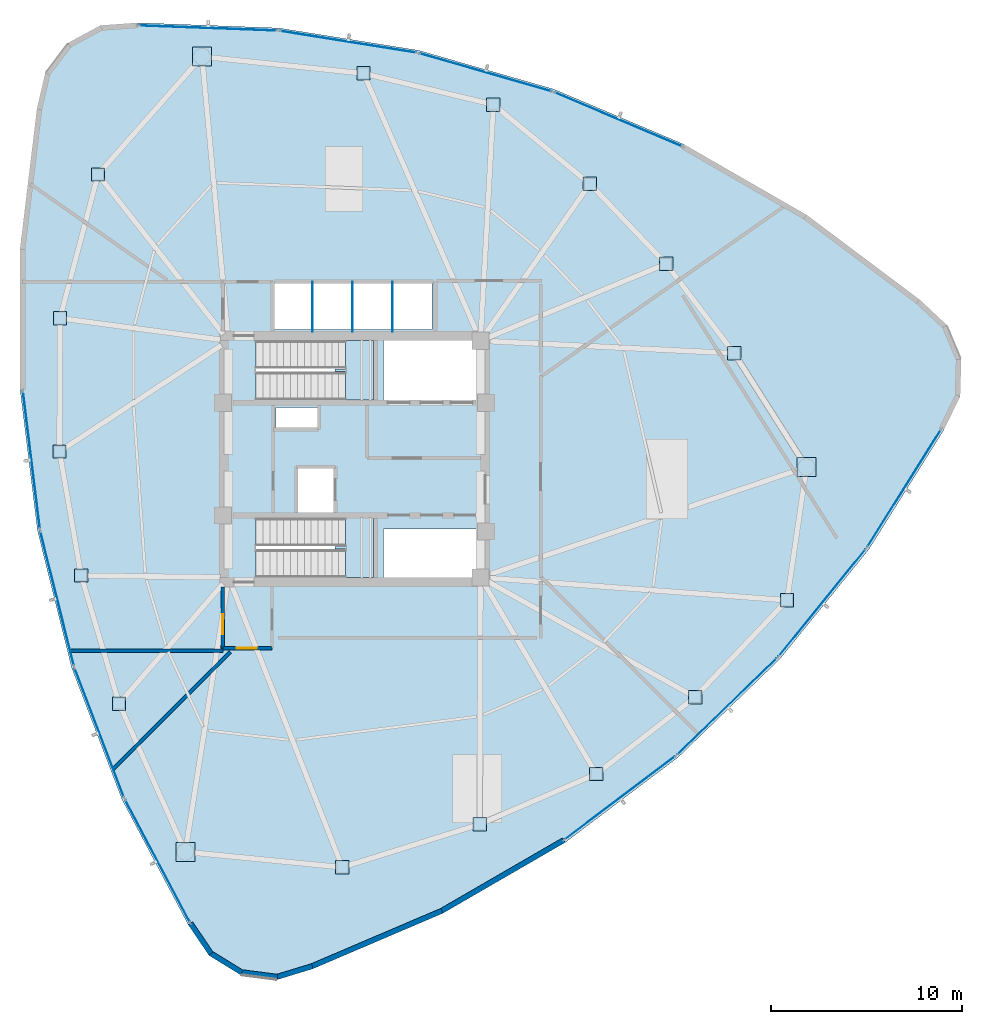
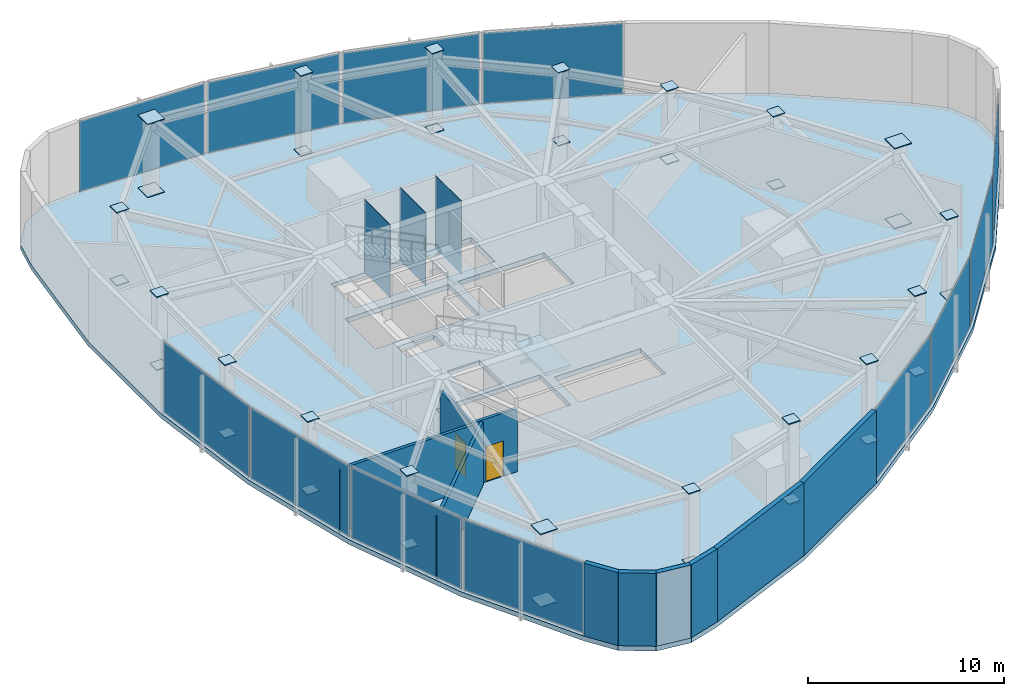
# One storey, part 10 of 17: 51 plates, 10 walls, 3 slabs, 2 doors, 2 openings, 14 elements without a shape of their own.
"""IFC4 building model written with IfcOpenShell, lengths in metres."""

from ifc_helpers import new_model, si_unit, direction, frame, frame_2d, origin, origin_2d, place, context, subcontext, project, spatial, polyline, rectangle, outline, extrude, source, transform, mapped, material, layer, layer_set, type_object, type_shapes, element, fill, aggregate, save


model = new_model("IFC4")

# Units and contexts
model_context = context("Model", 3, precision=1e-05, world=origin(), true_north=direction((0.0, 1.0)))
body_context = subcontext(model_context, "Body", "Model", "MODEL_VIEW")
ifc_project = project(units=[si_unit("LENGTHUNIT", "METRE"), si_unit("AREAUNIT", "SQUARE_METRE"), si_unit("VOLUMEUNIT", "CUBIC_METRE"), si_unit("PLANEANGLEUNIT", "RADIAN"), si_unit("MASSUNIT", "GRAM", prefix="KILO")], contexts=[model_context])

# Site, building, storey
site_placement = place(None, origin())
site = spatial("IfcSite", under=ifc_project, at=site_placement, CompositionType="ELEMENT")
building_placement = place(site_placement, origin())
building = spatial("IfcBuilding", under=site, at=building_placement, Name="Tavelor Broadcast Tower", CompositionType="ELEMENT")
storey_placement = place(building_placement, frame((0.0, 0.0, 204.14990234375)))
storey = spatial("IfcBuildingStorey", under=building, at=storey_placement, Name="L49", CompositionType="ELEMENT", Elevation=204.14990234375)

# Stair, slab
ifc_material_1 = material(Name="Concrete C40/50", Category="concrete")
stair_type = type_object("IfcStairType", Name="Reinforced Concrete Protected Dogleg Stair 1450 mm", PredefinedType="HALF_TURN_STAIR", material=ifc_material_1)
stair_1_placement = place(storey_placement, origin())
stair_1 = element("IfcStair", 1, at=stair_1_placement, inside=storey, type_object=stair_type, Name="L49 Protected Core Exit Stair ST1", PredefinedType="HALF_TURN_STAIR")
ifc_layer_1 = layer(ifc_material_1, 0.199951171875)
ifc_layer_set_1 = layer_set([ifc_layer_1], Name="Concrete C40/50")
slab_type_1 = type_object("IfcSlabType", Name="Reinforced Concrete Stair Half-Landing Slab 200 mm", PredefinedType="LANDING", material=ifc_layer_set_1)
slab_1_placement = place(storey_placement, frame((0.0, 0.0, 2.300048828125)))
slab_1 = element("IfcSlab", 2, at=slab_1_placement, type_object=slab_type_1, Name="ST1 landing 1", PredefinedType="LANDING", context=body_context, shape_type="SweptSolid", body=[
    extrude(outline(polyline([(49.52490234375, 49.590087890625), (49.52490234375, 48.094970703125), (51.0048828125, 48.094970703125), (51.0048828125, 51.205078125), (49.52490234375, 51.205078125), (49.52490234375, 49.7099609375), (48.985107421875, 49.7099609375), (48.985107421875, 49.590087890625), (49.52490234375, 49.590087890625)])), origin(), (0.0, 0.0, 1.0), 0.199951171875),
])
aggregate(stair_1, [slab_1])

stair_2_placement = place(storey_placement, origin())
stair_2 = element("IfcStair", 3, at=stair_2_placement, inside=storey, type_object=stair_type, Name="L49 Protected Core Exit Stair ST2", PredefinedType="HALF_TURN_STAIR")
slab_2_placement = place(storey_placement, frame((0.0, 0.0, 2.300048828125)))
slab_2 = element("IfcSlab", 4, at=slab_2_placement, type_object=slab_type_1, Name="ST2 landing 1", PredefinedType="LANDING", context=body_context, shape_type="SweptSolid", body=[
    extrude(outline(polyline([(49.52490234375, 40.2900390625), (49.52490234375, 38.794921875), (51.0048828125, 38.794921875), (51.0048828125, 41.905029296875), (49.52490234375, 41.905029296875), (49.52490234375, 40.409912109375), (48.985107421875, 40.409912109375), (48.985107421875, 40.2900390625), (49.52490234375, 40.2900390625)])), origin(), (0.0, 0.0, 1.0), 0.199951171875),
])
aggregate(stair_2, [slab_2])

# Slab
ifc_layer_2 = layer(ifc_material_1, 0.300048828125)
ifc_layer_set_2 = layer_set([ifc_layer_2], Name="Concrete C40/50")
slab_type_2 = type_object("IfcSlabType", Name="Tower Composite Floor Slab 300 mm", PredefinedType="FLOOR", material=ifc_layer_set_2)
slab_3_placement = place(storey_placement, frame((0.0, 0.0, -0.2998046875)))
element("IfcSlab", 5, at=slab_3_placement, inside=storey, type_object=slab_type_2, Name="L49 Structural Floor Slab", PredefinedType="FLOOR", context=body_context, shape_type="SweptSolid", body=[
    extrude(outline(polyline([(38.63671875, 67.856201171875), (36.696533203125, 67.718994140625), (34.985107421875, 66.79541015625), (33.80517578125, 65.249267578125), (33.365966796875, 63.3544921875), (32.4794921875, 56.005126953125), (32.4892578125, 48.602294921875), (33.39453125, 41.255126953125), (35.182373046875, 34.071533203125), (37.826416015625, 27.156982421875), (41.28759765625, 20.61328125), (42.37646484375, 19.001708984375), (44.0322265625, 17.981201171875), (45.961181640625, 17.732421875), (47.821533203125, 18.299560546875), (54.62939453125, 21.20654296875), (61.03564453125, 24.916259765625), (66.94580078125, 29.3740234375), (72.273193359375, 34.51416015625), (76.939453125, 40.260986328125), (80.875732421875, 46.530517578125), (81.726806640625, 48.279296875), (81.78271484375, 50.223388671875), (81.033935546875, 52.018310546875), (79.612548828125, 53.345947265625), (73.69091796875, 57.7880859375), (67.275146484375, 61.481201171875), (60.459716796875, 64.370849609375), (53.344482421875, 66.414306640625), (46.0341796875, 67.581787109375), (38.63671875, 67.856201171875)]), holes=[polyline([(56.60009765625, 41.35009765625), (56.60009765625, 38.800048828125), (51.52001953125, 38.800048828125), (51.52001953125, 41.35009765625), (56.60009765625, 41.35009765625)]), polyline([(50.99609375, 38.803955078125), (44.85400390625, 38.803955078125), (44.85400390625, 41.89599609375), (50.99609375, 41.89599609375), (50.99609375, 38.803955078125)]), polyline([(47.050048828125, 42.199951171875), (47.050048828125, 44.550048828125), (48.949951171875, 44.550048828125), (48.949951171875, 42.199951171875), (47.050048828125, 42.199951171875)]), polyline([(48.050048828125, 46.64990234375), (45.89990234375, 46.64990234375), (45.89990234375, 47.699951171875), (48.050048828125, 47.699951171875), (48.050048828125, 46.64990234375)]), polyline([(50.99609375, 48.10400390625), (44.85400390625, 48.10400390625), (44.85400390625, 51.196044921875), (50.99609375, 51.196044921875), (50.99609375, 48.10400390625)]), polyline([(56.60009765625, 48.10009765625), (51.52001953125, 48.10009765625), (51.52001953125, 51.199951171875), (56.60009765625, 51.199951171875), (56.60009765625, 48.10009765625)]), polyline([(54.050048828125, 51.800048828125), (45.800048828125, 51.800048828125), (45.800048828125, 54.25), (54.050048828125, 54.25), (54.050048828125, 51.800048828125)])]), origin(), (0.0, 0.0, 1.0), 0.2998046875),
])

# Plates
ifc_material_2 = material(Name="Steel S460", Category="steel")
ifc_layer_3 = layer(ifc_material_2, 0.050048828125)
ifc_layer_set_3 = layer_set([ifc_layer_3], Name="Steel S460")
plate_type_1 = type_object("IfcPlateType", Name="Tube Hollow-End Cap Plate KN05 700x700x50", PredefinedType="USERDEFINED", material=ifc_layer_set_3)
shared_shape_1 = source(origin(), body_context, "Body", "SweptSolid", [
    extrude(rectangle(XDim=0.699951171875, YDim=0.699951171875, at=origin_2d()), origin(), (0.0, 0.0, 1.0), 0.054931640625),
])
for number, where, z_axis, x_axis, name in (
    (6, (36.567626953125, 59.91064453125, -0.02734375), (0.0, 0.0, 1.0), (1.0, 0.0, 0.0), "L49 Hollow End Cap Plate KN05 #1397"),
    (7, (36.567626953125, 59.91064453125, 4.5224609375), (0.0, 0.0, 1.0), (1.0, 0.0, 0.0), "L49 Hollow End Cap Plate KN05 #1398"),
    (8, (34.5751953125, 52.37939453125, -0.02734375), (0.0, 0.0, 1.0), (1.0, 0.0, 0.0), "L49 Hollow End Cap Plate KN05 #1399"),
    (9, (34.5751953125, 52.37939453125, 4.5224609375), (0.0, 0.0, 1.0), (1.0, 0.0, 0.0), "L49 Hollow End Cap Plate KN05 #1400"),
    (10, (34.54638671875, 45.399169921875, -0.02734375), (0.0, 0.0, 1.0), (1.0, 0.0, 0.0), "L49 Hollow End Cap Plate KN05 #1401"),
    (11, (34.54638671875, 45.399169921875, 4.5224609375), (0.0, 0.0, 1.0), (1.0, 0.0, 0.0), "L49 Hollow End Cap Plate KN05 #1402"),
    (12, (35.680908203125, 38.89990234375, -0.02734375), (0.0, 0.0, 1.0), (1.0, 0.0, 0.0), "L49 Hollow End Cap Plate KN05 #1403"),
    (13, (35.680908203125, 38.89990234375, 4.5224609375), (0.0, 0.0, 1.0), (1.0, 0.0, 0.0), "L49 Hollow End Cap Plate KN05 #1404"),
    (14, (37.668212890625, 32.1904296875, -0.02734375), (0.0, 0.0, 1.0), (1.0, 0.0, 0.0), "L49 Hollow End Cap Plate KN05 #1405"),
    (15, (37.668212890625, 32.1904296875, 4.5224609375), (0.0, 0.0, 1.0), (1.0, 0.0, 0.0), "L49 Hollow End Cap Plate KN05 #1406"),
    (16, (49.366455078125, 23.618896484375, -0.02734375), (0.0, 0.0, 1.0), (1.0, 0.0, 0.0), "L49 Hollow End Cap Plate KN05 #1409"),
    (17, (49.366455078125, 23.618896484375, 4.5224609375), (0.0, 0.0, 1.0), (1.0, 0.0, 0.0), "L49 Hollow End Cap Plate KN05 #1410"),
    (18, (56.56103515625, 25.872802734375, -0.02734375), (0.0, 0.0, 1.0), (1.0, 0.0, 0.0), "L49 Hollow End Cap Plate KN05 #1411"),
    (19, (56.56103515625, 25.872802734375, 4.97265625), (0.0, 0.0, 1.0), (1.0, 0.0, 0.0), "L49 Hollow End Cap Plate KN05 #1412"),
    (20, (62.669189453125, 28.503173828125, -0.02734375), (0.0, 0.0, 1.0), (1.0, 0.0, 0.0), "L49 Hollow End Cap Plate KN05 #1413"),
    (21, (62.669189453125, 28.503173828125, 4.97265625), (0.0, 0.0, 1.0), (1.0, 0.0, 0.0), "L49 Hollow End Cap Plate KN05 #1414"),
    (22, (67.84228515625, 32.53173828125, -0.02734375), (0.0, 0.0, 1.0), (1.0, 0.0, 0.0), "L49 Hollow End Cap Plate KN05 #1415"),
    (23, (67.84228515625, 32.53173828125, 4.97265625), (0.0, 0.0, 1.0), (1.0, 0.0, 0.0), "L49 Hollow End Cap Plate KN05 #1416"),
    (24, (72.6591796875, 37.607421875, -0.02734375), (0.0, 0.0, 1.0), (1.0, 0.0, 0.0), "L49 Hollow End Cap Plate KN05 #1417"),
    (25, (72.6591796875, 37.607421875, 4.97265625), (0.0, 0.0, 1.0), (1.0, 0.0, 0.0), "L49 Hollow End Cap Plate KN05 #1418"),
    (26, (69.885986328125, 50.544189453125, -0.02734375), (0.0, 0.0, 1.0), (1.0, 0.0, 0.0), "L49 Hollow End Cap Plate KN05 #1421"),
    (27, (69.885986328125, 50.544189453125, 4.5224609375), (0.0, 0.0, 1.0), (1.0, 0.0, 0.0), "L49 Hollow End Cap Plate KN05 #1422"),
    (28, (66.322021484375, 55.228759765625, -0.02734375), (0.0, 0.0, 1.0), (1.0, 0.0, 0.0), "L49 Hollow End Cap Plate KN05 #1423"),
    (29, (66.322021484375, 55.228759765625, 4.5224609375), (0.0, 0.0, 1.0), (1.0, 0.0, 0.0), "L49 Hollow End Cap Plate KN05 #1424"),
    (30, (62.330810546875, 59.416259765625, -0.02734375), (0.0, 0.0, 1.0), (1.0, 0.0, 0.0), "L49 Hollow End Cap Plate KN05 #1425"),
    (31, (62.330810546875, 59.416259765625, 4.5224609375), (0.0, 0.0, 1.0), (1.0, 0.0, 0.0), "L49 Hollow End Cap Plate KN05 #1426"),
    (32, (57.276611328125, 63.568359375, -0.02734375), (0.0, 0.0, 1.0), (1.0, 0.0, 0.0), "L49 Hollow End Cap Plate KN05 #1427"),
    (33, (57.276611328125, 63.568359375, 4.97265625), (0.0, 0.0, 1.0), (1.0, 0.0, 0.0), "L49 Hollow End Cap Plate KN05 #1428"),
    (34, (50.472412109375, 65.2021484375, -0.02734375), (0.0, 0.0, 1.0), (1.0, 0.0, 0.0), "L49 Hollow End Cap Plate KN05 #1429"),
    (35, (50.472412109375, 65.2021484375, 4.97265625), (0.0, 0.0, 1.0), (1.0, 0.0, 0.0), "L49 Hollow End Cap Plate KN05 #1430"),
):
    element("IfcPlate", number, at=place(storey_placement, frame(where, z_axis=z_axis, x_axis=x_axis)), inside=storey, type_object=plate_type_1, Name=name, ObjectType="CAP PLATE", PredefinedType="USERDEFINED", context=body_context, shape_type="MappedRepresentation", body=[
        mapped(shared_shape_1, transform((0.0, 0.0, 0.0), scale=1.0)),
    ])
shared_shape_2 = source(origin(), body_context, "Body", "SweptSolid", [
    extrude(rectangle(XDim=0.993896484375, YDim=0.993896484375, at=origin_2d()), origin(), (0.0, 0.0, 1.0), 0.054931640625),
])
type_shapes(plate_type_1, [shared_shape_1, shared_shape_2])
for number, where, z_axis, x_axis, name in (
    (36, (42.01123046875, 66.080078125, -0.02734375), (0.0, 0.0, 1.0), (1.0, 0.0, 0.0), "L49 Hollow End Cap Plate KN05 #1395"),
    (37, (42.01123046875, 66.080078125, 4.5224609375), (0.0, 0.0, 1.0), (1.0, 0.0, 0.0), "L49 Hollow End Cap Plate KN05 #1396"),
    (38, (41.138671875, 24.423828125, -0.02734375), (0.0, 0.0, 1.0), (1.0, 0.0, 0.0), "L49 Hollow End Cap Plate KN05 #1407"),
    (39, (41.138671875, 24.423828125, 4.5224609375), (0.0, 0.0, 1.0), (1.0, 0.0, 0.0), "L49 Hollow End Cap Plate KN05 #1408"),
    (40, (73.676025390625, 44.57958984375, -0.02734375), (0.0, 0.0, 1.0), (1.0, 0.0, 0.0), "L49 Hollow End Cap Plate KN05 #1419"),
    (41, (73.676025390625, 44.57958984375, 4.97265625), (0.0, 0.0, 1.0), (1.0, 0.0, 0.0), "L49 Hollow End Cap Plate KN05 #1420"),
):
    element("IfcPlate", number, at=place(storey_placement, frame(where, z_axis=z_axis, x_axis=x_axis)), inside=storey, type_object=plate_type_1, Name=name, ObjectType="CAP PLATE", PredefinedType="USERDEFINED", context=body_context, shape_type="MappedRepresentation", body=[
        mapped(shared_shape_2, transform((0.0, 0.0, 0.0), scale=1.0)),
    ])
ifc_material_3 = material(Name="Steel S355", Category="steel")
ifc_layer_4 = layer(ifc_material_3, 0.011962890625)
ifc_layer_set_4 = layer_set([ifc_layer_4], Name="Steel S355")
plate_type_2 = type_object("IfcPlateType", Name="Hoistway Steel Separator Screen 12 mm", PredefinedType="SHEET", material=ifc_layer_set_4)
shared_shape_3 = source(origin(), body_context, "Body", "SweptSolid", [
    extrude(rectangle(XDim=0.02001953125, YDim=2.6201171875, at=origin_2d()), origin(), (0.0, 0.0, 1.0), 4.550048828125),
])
type_shapes(plate_type_2, [shared_shape_3])
for number, where, z_axis, x_axis, name in (
    (42, (47.800048828125, 52.989990234375, 0.0), (0.0, 0.0, 1.0), (1.0, 0.0, 0.0), "L49 High-Rise Hoistway Separator Screen 1"),
    (43, (49.89990234375, 52.989990234375, 0.0), (0.0, 0.0, 1.0), (1.0, 0.0, 0.0), "L49 High-Rise Hoistway Separator Screen 2"),
    (44, (52.0, 52.989990234375, 0.0), (0.0, 0.0, 1.0), (1.0, 0.0, 0.0), "L49 High-Rise Hoistway Separator Screen 3"),
):
    element("IfcPlate", number, at=place(storey_placement, frame(where, z_axis=z_axis, x_axis=x_axis)), inside=storey, type_object=plate_type_2, Name=name, PredefinedType="SHEET", context=body_context, shape_type="MappedRepresentation", body=[
        mapped(shared_shape_3, transform((0.0, 0.0, 0.0), scale=1.0)),
    ])

# Curtain wall, plate
ifc_material_4 = material(Name="Architectural Anodized Aluminium", Category="aluminium")
ifc_layer_5 = layer(ifc_material_4, 0.18994140625)
ifc_layer_set_5 = layer_set([ifc_layer_5], Name="Architectural Anodized Aluminium")
curtain_wall_type = type_object("IfcCurtainWallType", Name="Tower Mid-Zone Acoustic Curtain Wall CW03", PredefinedType="NOTDEFINED", material=ifc_layer_set_5)
curtain_wall_1_placement = place(storey_placement, origin())
curtain_wall_1 = element("IfcCurtainWall", 45, at=curtain_wall_1_placement, inside=storey, type_object=curtain_wall_type, Name="L49 Curtain Wall CW03 Run 529", PredefinedType="NOTDEFINED")
ifc_material_5 = material(Name="Solar Control Double Glazing 30 mm", Category="glass")
ifc_layer_6 = layer(ifc_material_5, 0.030029296875)
ifc_layer_set_6 = layer_set([ifc_layer_6], Name="Solar Control Double Glazing 30 mm")
plate_type_3 = type_object("IfcPlateType", Name="CW03 Insulated Vision Glazing Panel 30 mm", PredefinedType="CURTAIN_PANEL", material=ifc_layer_set_6)
shared_shape_4 = source(origin(), body_context, "Body", "SweptSolid", [
    extrude(rectangle(XDim=7.23486328125, YDim=0.030029296875, at=origin_2d()), origin(), (0.0, 0.0, 1.0), 4.4140625),
])
plate_1_placement = place(storey_placement, frame((33.079833984375, 44.953369140625, 0.068115234375), z_axis=(0.0, 0.0, 1.0), x_axis=(0.122292957907, -0.992494046555, 0.0)))
plate_1 = element("IfcPlate", 46, at=plate_1_placement, type_object=plate_type_3, Name="CW03 panel 1.1", PredefinedType="CURTAIN_PANEL", context=body_context, shape_type="MappedRepresentation", body=[
    mapped(shared_shape_4, transform((0.0, 0.0, 0.0), scale=1.0)),
])
aggregate(curtain_wall_1, [plate_1])

curtain_wall_2_placement = place(storey_placement, origin())
curtain_wall_2 = element("IfcCurtainWall", 47, at=curtain_wall_2_placement, inside=storey, type_object=curtain_wall_type, Name="L49 Curtain Wall CW03 Run 533", PredefinedType="NOTDEFINED")
plate_2_placement = place(storey_placement, frame((63.900390625, 27.25244140625, 0.068115234375), z_axis=(0.0, 0.0, 1.0), x_axis=(0.798372265295, 0.602164201864, 0.0)))
plate_2 = element("IfcPlate", 48, at=plate_2_placement, type_object=plate_type_3, Name="CW03 panel 1.1", PredefinedType="CURTAIN_PANEL", context=body_context, shape_type="MappedRepresentation", body=[
    mapped(shared_shape_4, transform((0.0, 0.0, 0.0), scale=1.0)),
])
aggregate(curtain_wall_2, [plate_2])

curtain_wall_3_placement = place(storey_placement, origin())
curtain_wall_3 = element("IfcCurtainWall", 49, at=curtain_wall_3_placement, inside=storey, type_object=curtain_wall_type, Name="L49 Curtain Wall CW03 Run 530", PredefinedType="NOTDEFINED")
shared_shape_5 = source(origin(), body_context, "Body", "SweptSolid", [
    extrude(rectangle(XDim=7.2197265625, YDim=0.030029296875, at=origin_2d()), origin(), (0.0, 0.0, 1.0), 4.4140625),
])
plate_3_placement = place(storey_placement, frame((34.42431640625, 37.697021484375, 0.068115234375), z_axis=(0.0, 0.0, 1.0), x_axis=(0.241511880461, -0.970397862527, 0.0)))
plate_3 = element("IfcPlate", 50, at=plate_3_placement, type_object=plate_type_3, Name="CW03 panel 1.1", PredefinedType="CURTAIN_PANEL", context=body_context, shape_type="MappedRepresentation", body=[
    mapped(shared_shape_5, transform((0.0, 0.0, 0.0), scale=1.0)),
])
aggregate(curtain_wall_3, [plate_3])

curtain_wall_4_placement = place(storey_placement, origin())
curtain_wall_4 = element("IfcCurtainWall", 51, at=curtain_wall_4_placement, inside=storey, type_object=curtain_wall_type, Name="L49 Curtain Wall CW03 Run 531", PredefinedType="NOTDEFINED")
plate_4_placement = place(storey_placement, frame((36.635009765625, 30.664306640625, 0.068115234375), z_axis=(0.0, 0.0, 1.0), x_axis=(0.357161885429, -0.934042497747, 0.0)))
plate_4 = element("IfcPlate", 52, at=plate_4_placement, type_object=plate_type_3, Name="CW03 panel 1.1", PredefinedType="CURTAIN_PANEL", context=body_context, shape_type="MappedRepresentation", body=[
    mapped(shared_shape_5, transform((0.0, 0.0, 0.0), scale=1.0)),
])
aggregate(curtain_wall_4, [plate_4])

curtain_wall_5_placement = place(storey_placement, origin())
curtain_wall_5 = element("IfcCurtainWall", 53, at=curtain_wall_5_placement, inside=storey, type_object=curtain_wall_type, Name="L49 Curtain Wall CW03 Run 534", PredefinedType="NOTDEFINED")
plate_5_placement = place(storey_placement, frame((69.512451171875, 32.044921875, 0.068115234375), z_axis=(0.0, 0.0, 1.0), x_axis=(0.719643631174, 0.694343606661, 0.0)))
plate_5 = element("IfcPlate", 54, at=plate_5_placement, type_object=plate_type_3, Name="CW03 panel 1.1", PredefinedType="CURTAIN_PANEL", context=body_context, shape_type="MappedRepresentation", body=[
    mapped(shared_shape_5, transform((0.0, 0.0, 0.0), scale=1.0)),
])
aggregate(curtain_wall_5, [plate_5])

curtain_wall_6_placement = place(storey_placement, origin())
curtain_wall_6 = element("IfcCurtainWall", 55, at=curtain_wall_6_placement, inside=storey, type_object=curtain_wall_type, Name="L49 Curtain Wall CW03 Run 535", PredefinedType="NOTDEFINED")
plate_6_placement = place(storey_placement, frame((74.49755859375, 37.475830078125, 0.068115234375), z_axis=(0.0, 0.0, 1.0), x_axis=(0.630332083041, 0.776325617953, 0.0)))
plate_6 = element("IfcPlate", 56, at=plate_6_placement, type_object=plate_type_3, Name="CW03 panel 1.1", PredefinedType="CURTAIN_PANEL", context=body_context, shape_type="MappedRepresentation", body=[
    mapped(shared_shape_5, transform((0.0, 0.0, 0.0), scale=1.0)),
])
aggregate(curtain_wall_6, [plate_6])

curtain_wall_7_placement = place(storey_placement, origin())
curtain_wall_7 = element("IfcCurtainWall", 57, at=curtain_wall_7_placement, inside=storey, type_object=curtain_wall_type, Name="L49 Curtain Wall CW03 Run 538", PredefinedType="NOTDEFINED")
plate_7_placement = place(storey_placement, frame((56.86328125, 65.258056640625, 0.068115234375), z_axis=(0.0, 0.0, 1.0), x_axis=(-0.961142374199, 0.276053140751, 0.0)))
plate_7 = element("IfcPlate", 58, at=plate_7_placement, type_object=plate_type_3, Name="CW03 panel 1.1", PredefinedType="CURTAIN_PANEL", context=body_context, shape_type="MappedRepresentation", body=[
    mapped(shared_shape_5, transform((0.0, 0.0, 0.0), scale=1.0)),
])
aggregate(curtain_wall_7, [plate_7])

curtain_wall_8_placement = place(storey_placement, origin())
curtain_wall_8 = element("IfcCurtainWall", 59, at=curtain_wall_8_placement, inside=storey, type_object=curtain_wall_type, Name="L49 Curtain Wall CW03 Run 539", PredefinedType="NOTDEFINED")
plate_8_placement = place(storey_placement, frame((49.667236328125, 66.85986328125, 0.068115234375), z_axis=(0.0, 0.0, 1.0), x_axis=(-0.987487416878, 0.157697817065, 0.0)))
plate_8 = element("IfcPlate", 60, at=plate_8_placement, type_object=plate_type_3, Name="CW03 panel 1.1", PredefinedType="CURTAIN_PANEL", context=body_context, shape_type="MappedRepresentation", body=[
    mapped(shared_shape_5, transform((0.0, 0.0, 0.0), scale=1.0)),
])
aggregate(curtain_wall_8, [plate_8])

curtain_wall_9_placement = place(storey_placement, origin())
curtain_wall_9 = element("IfcCurtainWall", 61, at=curtain_wall_9_placement, inside=storey, type_object=curtain_wall_type, Name="L49 Curtain Wall CW03 Run 532", PredefinedType="NOTDEFINED")
shared_shape_6 = source(origin(), body_context, "Body", "SweptSolid", [
    extrude(rectangle(XDim=7.23583984375, YDim=0.030029296875, at=origin_2d()), origin(), (0.0, 0.0, 1.0), 4.4140625),
])
plate_9_placement = place(storey_placement, frame((39.684326171875, 23.943603515625, 0.068115234375), z_axis=(0.0, 0.0, 1.0), x_axis=(0.467563591865, -0.883959437736, 0.0)))
plate_9 = element("IfcPlate", 62, at=plate_9_placement, type_object=plate_type_3, Name="CW03 panel 1.1", PredefinedType="CURTAIN_PANEL", context=body_context, shape_type="MappedRepresentation", body=[
    mapped(shared_shape_6, transform((0.0, 0.0, 0.0), scale=1.0)),
])
aggregate(curtain_wall_9, [plate_9])

curtain_wall_10_placement = place(storey_placement, origin())
curtain_wall_10 = element("IfcCurtainWall", 63, at=curtain_wall_10_placement, inside=storey, type_object=curtain_wall_type, Name="L49 Curtain Wall CW03 Run 536", PredefinedType="NOTDEFINED")
shared_shape_7 = source(origin(), body_context, "Body", "SweptSolid", [
    extrude(rectangle(XDim=7.235595703125, YDim=0.030029296875, at=origin_2d()), origin(), (0.0, 0.0, 1.0), 4.4140625),
])
plate_10_placement = place(storey_placement, frame((78.793212890625, 43.47705078125, 0.068115234375), z_axis=(0.0, 0.0, 1.0), x_axis=(0.531750031189, 0.846901354545, 0.0)))
plate_10 = element("IfcPlate", 64, at=plate_10_placement, type_object=plate_type_3, Name="CW03 panel 1.1", PredefinedType="CURTAIN_PANEL", context=body_context, shape_type="MappedRepresentation", body=[
    mapped(shared_shape_7, transform((0.0, 0.0, 0.0), scale=1.0)),
])
aggregate(curtain_wall_10, [plate_10])

curtain_wall_11_placement = place(storey_placement, origin())
curtain_wall_11 = element("IfcCurtainWall", 65, at=curtain_wall_11_placement, inside=storey, type_object=curtain_wall_type, Name="L49 Curtain Wall CW03 Run 540", PredefinedType="NOTDEFINED")
plate_11_placement = place(storey_placement, frame((42.322265625, 67.57958984375, 0.068115234375), z_axis=(0.0, 0.0, 1.0), x_axis=(-0.999312992808, 0.037061333006, 0.0)))
plate_11 = element("IfcPlate", 66, at=plate_11_placement, type_object=plate_type_3, Name="CW03 panel 1.1", PredefinedType="CURTAIN_PANEL", context=body_context, shape_type="MappedRepresentation", body=[
    mapped(shared_shape_7, transform((0.0, 0.0, 0.0), scale=1.0)),
])
aggregate(curtain_wall_11, [plate_11])

curtain_wall_12_placement = place(storey_placement, origin())
curtain_wall_12 = element("IfcCurtainWall", 67, at=curtain_wall_12_placement, inside=storey, type_object=curtain_wall_type, Name="L49 Curtain Wall CW03 Run 537", PredefinedType="NOTDEFINED")
shared_shape_8 = source(origin(), body_context, "Body", "SweptSolid", [
    extrude(rectangle(XDim=7.234619140625, YDim=0.030029296875, at=origin_2d()), origin(), (0.0, 0.0, 1.0), 4.4140625),
])
type_shapes(plate_type_3, [shared_shape_4, shared_shape_5, shared_shape_6, shared_shape_7, shared_shape_8])
plate_12_placement = place(storey_placement, frame((63.819580078125, 62.794189453125, 0.068115234375), z_axis=(0.0, 0.0, 1.0), x_axis=(-0.920670003227, 0.390341831167, 0.0)))
plate_12 = element("IfcPlate", 68, at=plate_12_placement, type_object=plate_type_3, Name="CW03 panel 1.1", PredefinedType="CURTAIN_PANEL", context=body_context, shape_type="MappedRepresentation", body=[
    mapped(shared_shape_8, transform((0.0, 0.0, 0.0), scale=1.0)),
])
aggregate(curtain_wall_12, [plate_12])

# Wall, opening, door
ifc_material_6 = material(Name="Calcium Silicate Fire Board 180 mm", Category="gypsum")
ifc_layer_7 = layer(ifc_material_6, 0.179931640625)
ifc_layer_set_7 = layer_set([ifc_layer_7], Name="Calcium Silicate Fire Board 180 mm")
wall_type_1 = type_object("IfcWallType", Name="Fire-Rated Corridor Partition Wall 180 mm", PredefinedType="PARTITIONING", material=ifc_layer_set_7)
wall_1_placement = place(storey_placement, frame((43.10009765625, 35.10009765625, 0.0), z_axis=(0.0, 0.0, 1.0), x_axis=(1.0, 0.0, 0.0)))
wall_1 = element("IfcWall", 69, at=wall_1_placement, inside=storey, type_object=wall_type_1, Name="L49 Stair ST2 Lobby South Wall", PredefinedType="PARTITIONING", context=body_context, shape_type="SweptSolid", body=[
    extrude(rectangle(XDim=2.579833984375, YDim=0.179931640625, at=frame_2d((1.2900390625, 0.0))), origin(), (0.0, 0.0, 1.0), 3.93505859375),
])
opening_1_placement = place(wall_1_placement, frame((0.719970703125, 0.0, 0.0)))
opening_1 = element("IfcOpeningElement", 70, at=opening_1_placement, cuts=wall_1, Name="Opening DR11", PredefinedType="OPENING", context=body_context, shape_type="SweptSolid", body=[
    extrude(rectangle(XDim=1.050048828125, YDim=2.199951171875, at=frame_2d((0.52490234375, 1.10009765625))), frame((0.0, 0.10009765625, 0.0), z_axis=(0.0, -1.0, 0.0), x_axis=(1.0, 0.0, 0.0)), (0.0, 0.0, 1.0), 0.199951171875),
])
door_type = type_object("IfcDoorType", Name="Stair Core Fire Escape Door 1050x2200", OperationType="NOTDEFINED", PredefinedType="DOOR", material=ifc_material_3)
door_1_placement = place(opening_1_placement, origin())
door_1 = element("IfcDoor", 71, at=door_1_placement, inside=storey, type_object=door_type, Name="L49 Stair ST2 Lobby Corridor Door", OperationType="SINGLE_SWING_RIGHT", OverallHeight=2.199951171875, OverallWidth=1.050048828125, PredefinedType="DOOR", context=body_context, shape_type="SweptSolid", body=[
    extrude(rectangle(XDim=1.050048828125, YDim=2.199951171875, at=frame_2d((0.52490234375, 1.10009765625))), frame((0.0, 0.02490234375, 0.0), z_axis=(0.0, -1.0, 0.0), x_axis=(1.0, 0.0, 0.0)), (0.0, 0.0, 1.0), 0.050048828125),
])
fill(opening_1, door_1)

wall_2_placement = place(storey_placement, frame((43.10009765625, 35.10009765625, 0.0), z_axis=(0.0, 0.0, 1.0), x_axis=(0.0, 1.0, 0.0)))
wall_2 = element("IfcWall", 72, at=wall_2_placement, inside=storey, type_object=wall_type_1, Name="L49 Fire Refuge South Stair ST2 Lobby Wall", PredefinedType="PARTITIONING", context=body_context, shape_type="SweptSolid", body=[
    extrude(rectangle(XDim=3.199951171875, YDim=0.179931640625, at=frame_2d((1.60009765625, 0.0))), origin(), (0.0, 0.0, 1.0), 3.93505859375),
])
opening_2_placement = place(wall_2_placement, frame((0.719970703125, 0.0, 0.0)))
opening_2 = element("IfcOpeningElement", 73, at=opening_2_placement, cuts=wall_2, Name="Opening DR11", PredefinedType="OPENING", context=body_context, shape_type="SweptSolid", body=[
    extrude(rectangle(XDim=1.050048828125, YDim=2.199951171875, at=frame_2d((0.52490234375, 1.10009765625))), frame((0.0, 0.10009765625, 0.0), z_axis=(0.0, -1.0, 0.0), x_axis=(1.0, 0.0, 0.0)), (0.0, 0.0, 1.0), 0.199951171875),
])
door_2_placement = place(opening_2_placement, origin())
door_2 = element("IfcDoor", 74, at=door_2_placement, inside=storey, type_object=door_type, Name="L49 Fire Refuge Stair ST2 Lobby Door", OperationType="SINGLE_SWING_LEFT", OverallHeight=2.199951171875, OverallWidth=1.050048828125, PredefinedType="DOOR", context=body_context, shape_type="SweptSolid", body=[
    extrude(rectangle(XDim=1.050048828125, YDim=2.199951171875, at=frame_2d((0.52490234375, 1.10009765625))), frame((0.0, 0.02490234375, 0.0), z_axis=(0.0, -1.0, 0.0), x_axis=(1.0, 0.0, 0.0)), (0.0, 0.0, 1.0), 0.050048828125),
])
fill(opening_2, door_2)

# Walls
wall_3_placement = place(storey_placement, frame((35.10791015625, 34.949951171875, 0.0), z_axis=(0.0, 0.0, 1.0), x_axis=(1.0, 0.0, 0.0)))
element("IfcWall", 75, at=wall_3_placement, inside=storey, type_object=wall_type_1, Name="L49 Fire Refuge South EI120 Wall", PredefinedType="PARTITIONING", context=body_context, shape_type="SweptSolid", body=[
    extrude(rectangle(XDim=7.9921875, YDim=0.179931640625, at=frame_2d((3.99609375, 0.0))), origin(), (0.0, 0.0, 1.0), 3.93505859375),
])
wall_4_placement = place(storey_placement, frame((43.5, 34.89990234375, 0.0), z_axis=(0.0, 0.0, 1.0), x_axis=(-0.707106781187, -0.707106781187, 0.0)))
element("IfcWall", 76, at=wall_4_placement, inside=storey, type_object=wall_type_1, Name="L49 Plant Quadrant Fire Wall", PredefinedType="PARTITIONING", context=body_context, shape_type="SweptSolid", body=[
    extrude(rectangle(XDim=8.679931640625, YDim=0.179931640625, at=frame_2d((4.33984375, 0.0))), origin(), (0.0, 0.0, 1.0), 3.93505859375),
])
ifc_material_7 = material(Name="Precast Concrete C40/50", Category="concrete")
ifc_layer_8 = layer(ifc_material_7, 0.280029296875)
ifc_layer_set_8 = layer_set([ifc_layer_8], Name="Precast Concrete C40/50")
wall_type_2 = type_object("IfcWallType", Name="Insulated Precast Terracotta Facade Wall 280 mm", PredefinedType="STANDARD", material=ifc_layer_set_8)
wall_5_placement = place(storey_placement, frame((41.405517578125, 20.688720703125, 0.0), z_axis=(0.0, 0.0, 1.0), x_axis=(0.559866819168, -0.828582611931, 0.0)))
element("IfcWall", 77, at=wall_5_placement, inside=storey, type_object=wall_type_2, Name="L49 Rounded Corner Structural Cladding Pier 11", PredefinedType="STANDARD", context=body_context, shape_type="SweptSolid", body=[
    extrude(rectangle(XDim=1.926025390625, YDim=0.280029296875, at=frame_2d((0.962890625, 0.0))), origin(), (0.0, 0.0, 1.0), 4.550048828125),
])
for number, where, z_axis, x_axis, name in (
    (78, (42.462890625, 19.113037109375, 0.0), (0.0, 0.0, 1.0), (0.851277194401, -0.524716245501, 0.0), "L49 Rounded Corner Structural Cladding Pier 12"),
    (79, (44.065185546875, 18.1181640625, 0.0), (0.0, 0.0, 1.0), (0.991787782699, -0.12789446465, 0.0), "L49 Rounded Corner Structural Cladding Pier 13"),
):
    element("IfcWall", number, at=place(storey_placement, frame(where, z_axis=z_axis, x_axis=x_axis)), inside=storey, type_object=wall_type_2, Name=name, PredefinedType="STANDARD", context=body_context, shape_type="SweptSolid", body=[
        extrude(rectangle(XDim=1.91455078125, YDim=0.280029296875, at=frame_2d((0.957275390625, 0.0))), origin(), (0.0, 0.0, 1.0), 4.550048828125),
    ])
wall_6_placement = place(storey_placement, frame((45.934814453125, 17.87060546875, 0.0), z_axis=(0.0, 0.0, 1.0), x_axis=(0.956533353252, 0.291622948541, 0.0)))
element("IfcWall", 80, at=wall_6_placement, inside=storey, type_object=wall_type_2, Name="L49 Rounded Corner Structural Cladding Pier 14", PredefinedType="STANDARD", context=body_context, shape_type="SweptSolid", body=[
    extrude(rectangle(XDim=1.937255859375, YDim=0.280029296875, at=frame_2d((0.96875, 0.0))), origin(), (0.0, 0.0, 1.0), 4.550048828125),
])
wall_7_placement = place(storey_placement, frame((47.759765625, 18.42529296875, 0.0), z_axis=(0.0, 0.0, 1.0), x_axis=(0.919661843006, 0.392711210075, 0.0)))
element("IfcWall", 81, at=wall_7_placement, inside=storey, type_object=wall_type_2, Name="L49 Rounded Corner Structural Cladding Pier 15", PredefinedType="STANDARD", context=body_context, shape_type="SweptSolid", body=[
    extrude(rectangle(XDim=7.416748046875, YDim=0.280029296875, at=frame_2d((3.70849609375, 0.0))), origin(), (0.0, 0.0, 1.0), 4.550048828125),
])
wall_8_placement = place(storey_placement, frame((54.5537109375, 21.324462890625, 0.0), z_axis=(0.0, 0.0, 1.0), x_axis=(0.865378125322, 0.501119447052, 0.0)))
element("IfcWall", 82, at=wall_8_placement, inside=storey, type_object=wall_type_2, Name="L49 Rounded Corner Structural Cladding Pier 16", PredefinedType="STANDARD", context=body_context, shape_type="SweptSolid", body=[
    extrude(rectangle(XDim=7.40478515625, YDim=0.280029296875, at=frame_2d((3.702392578125, 0.0))), origin(), (0.0, 0.0, 1.0), 4.550048828125),
])

save(model, "model.ifc")
